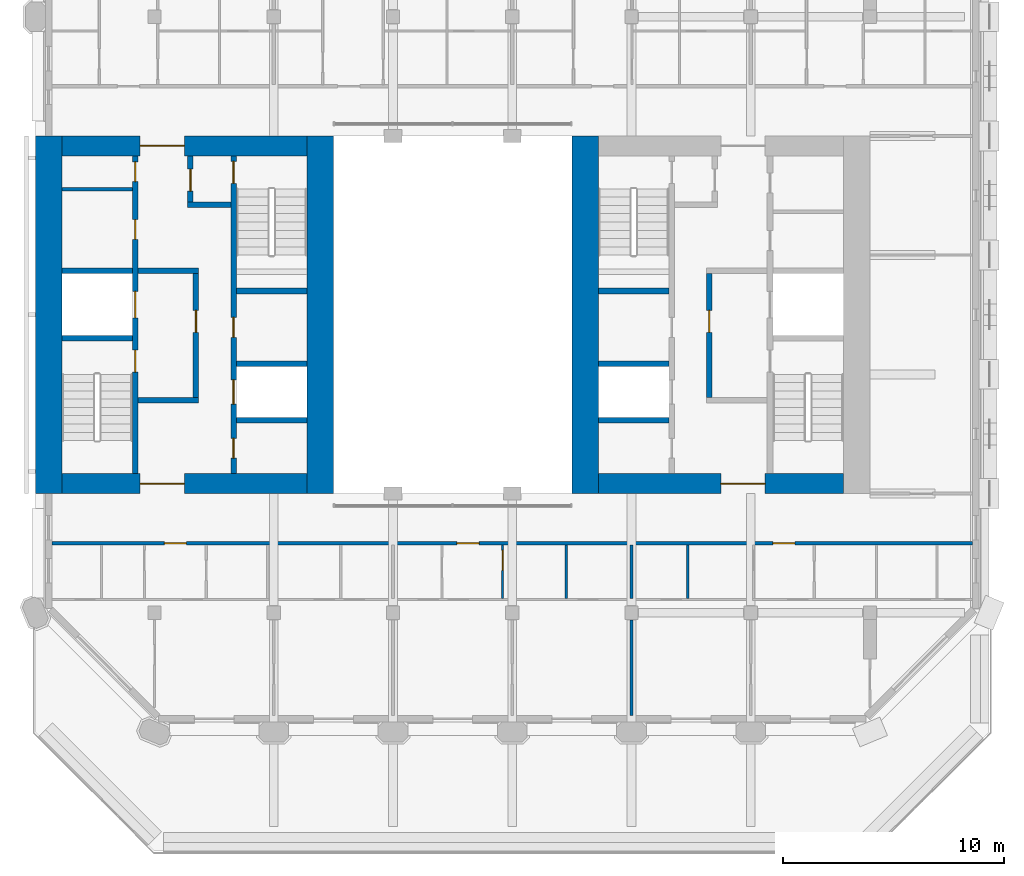
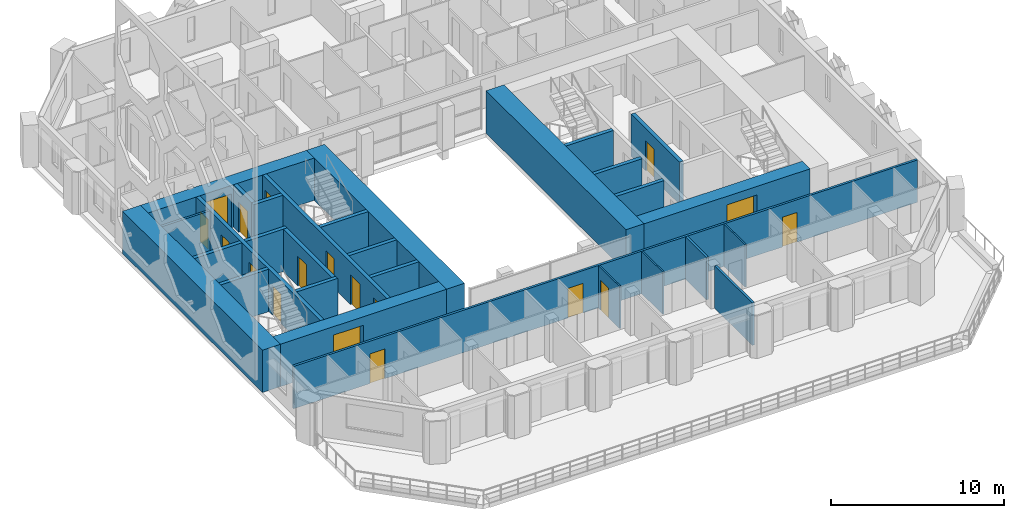
# One storey, part 9 of 17: 29 walls, 18 doors, 18 openings.
"""IFC4 building model written with IfcOpenShell, lengths in metres."""

from ifc_helpers import new_model, si_unit, direction, frame, frame_2d, origin, place, context, subcontext, project, spatial, rectangle, extrude, material, layer, layer_set, type_object, element, fill, save


model = new_model("IFC4")

# Units and contexts
model_context = context("Model", 3, precision=1e-05, world=origin(), true_north=direction((0.0, 1.0)))
body_context = subcontext(model_context, "Body", "Model", "MODEL_VIEW")
ifc_project = project(units=[si_unit("LENGTHUNIT", "METRE"), si_unit("AREAUNIT", "SQUARE_METRE"), si_unit("VOLUMEUNIT", "CUBIC_METRE"), si_unit("PLANEANGLEUNIT", "RADIAN"), si_unit("MASSUNIT", "GRAM", prefix="KILO")], contexts=[model_context])

# Site, building, storey
site_placement = place(None, origin())
site = spatial("IfcSite", under=ifc_project, at=site_placement, CompositionType="ELEMENT")
building_placement = place(site_placement, origin())
building = spatial("IfcBuilding", under=site, at=building_placement, Name="Tabaq Tower and Sports Hall", CompositionType="ELEMENT")
storey_placement = place(building_placement, frame((0.0, 0.0, 288.39990234375)))
storey = spatial("IfcBuildingStorey", under=building, at=storey_placement, Name="L71", CompositionType="ELEMENT", Elevation=288.39990234375)

# Walls
ifc_material_1 = material(Name="Blockwork", Category="masonry")
ifc_layer_1 = layer(ifc_material_1, 0.14990234375)
ifc_layer_set_1 = layer_set([ifc_layer_1], Name="Core room partition 150 Blockwork")
wall_type_1 = type_object("IfcWallType", Name="Core room partition 150 Blockwork", PredefinedType="PARTITIONING", material=ifc_layer_set_1)
wall_1_placement = place(storey_placement, frame((6.60009765625, 29.97705078125, 0.0), z_axis=(0.0, 0.0, 1.0), x_axis=(1.0, 0.0, 0.0)))
element("IfcWall", 1, at=wall_1_placement, inside=storey, type_object=wall_type_1, Name="Core room partition W L71", PredefinedType="PARTITIONING", context=body_context, shape_type="SweptSolid", body=[
    extrude(rectangle(XDim=3.199951171875, YDim=0.14990234375, at=frame_2d((1.60009765625, 0.0))), origin(), (0.0, 0.0, 1.0), 3.0),
])
ifc_material_2 = material(Name="Concrete C40/50", Category="concrete")
ifc_layer_2 = layer(ifc_material_2, 1.199951171875)
ifc_layer_set_2 = layer_set([ifc_layer_2], Name="Core wall 1200 Concrete C40/50")
wall_type_2 = type_object("IfcWallType", Name="Core wall 1200 Concrete C40/50", PredefinedType="SOLIDWALL", material=ifc_layer_set_2)
for number, where, z_axis, x_axis, name in (
    (2, (6.0, 16.199951171875, 0.0), (0.0, 0.0, 1.0), (0.0, 1.0, 0.0), "Core wall W L71"),
    (3, (18.300048828125, 32.39990234375, 0.0), (0.0, 0.0, 1.0), (0.0, -1.0, 0.0), "Core wall W L71"),
    (4, (30.300048828125, 16.199951171875, 0.0), (0.0, 0.0, 1.0), (0.0, 1.0, 0.0), "Core wall E L71"),
):
    element("IfcWall", number, at=place(storey_placement, frame(where, z_axis=z_axis, x_axis=x_axis)), inside=storey, type_object=wall_type_2, Name=name, PredefinedType="SOLIDWALL", context=body_context, shape_type="SweptSolid", body=[
        extrude(rectangle(XDim=16.199951171875, YDim=1.199951171875, at=frame_2d((8.10009765625, 0.0))), origin(), (0.0, 0.0, 1.0), 3.0),
    ])

# Wall, opening, door
ifc_material_3 = material(Name="Concrete C40/50", Category="concrete")
ifc_layer_3 = layer(ifc_material_3, 0.89990234375)
ifc_layer_set_3 = layer_set([ifc_layer_3], Name="Core wall 900 Concrete C40/50")
wall_type_3 = type_object("IfcWallType", Name="Core wall 900 Concrete C40/50", PredefinedType="SOLIDWALL", material=ifc_layer_set_3)
wall_2_placement = place(storey_placement, frame((17.699951171875, 16.64990234375, 0.0), z_axis=(0.0, 0.0, 1.0), x_axis=(-1.0, 0.0, 0.0)))
wall_2 = element("IfcWall", 5, at=wall_2_placement, inside=storey, type_object=wall_type_3, Name="Core wall W L71", PredefinedType="SOLIDWALL", context=body_context, shape_type="SweptSolid", body=[
    extrude(rectangle(XDim=11.099853515625, YDim=0.89990234375, at=frame_2d((5.5498046875, 0.0))), origin(), (0.0, 0.0, 1.0), 3.0),
])
opening_1_placement = place(wall_2_placement, frame((5.550048828125, 0.0, 0.0)))
opening_1 = element("IfcOpeningElement", 6, at=opening_1_placement, cuts=wall_2, Name="Opening PD-WL71-01", PredefinedType="OPENING", context=body_context, shape_type="SweptSolid", body=[
    extrude(rectangle(XDim=2.0, YDim=2.39990234375, at=frame_2d((1.0, 1.199951171875))), frame((0.0, 0.449951171875, 0.0), z_axis=(0.0, -1.0, 0.0), x_axis=(1.0, 0.0, 0.0)), (0.0, 0.0, 1.0), 0.89990234375),
])
ifc_material_4 = material(Name="Steel fire door", Category="steel")
door_type_1 = type_object("IfcDoorType", Name="Core entrance door 2000", OperationType="DOUBLE_DOOR_SINGLE_SWING", PredefinedType="DOOR", material=ifc_material_4)
door_1_placement = place(opening_1_placement, origin())
door_1 = element("IfcDoor", 7, at=door_1_placement, inside=storey, type_object=door_type_1, Name="Core entrance south W L71", OperationType="DOUBLE_DOOR_SINGLE_SWING", OverallHeight=2.39990234375, OverallWidth=2.0, PredefinedType="DOOR", context=body_context, shape_type="SweptSolid", body=[
    extrude(rectangle(XDim=2.0, YDim=2.39990234375, at=frame_2d((1.0, 1.199951171875))), frame((0.0, 0.02490234375, 0.0), z_axis=(0.0, -1.0, 0.0), x_axis=(1.0, 0.0, 0.0)), (0.0, 0.0, 1.0), 0.050048828125),
])
fill(opening_1, door_1)

wall_3_placement = place(storey_placement, frame((6.60009765625, 31.949951171875, 0.0), z_axis=(0.0, 0.0, 1.0), x_axis=(1.0, 0.0, 0.0)))
wall_3 = element("IfcWall", 8, at=wall_3_placement, inside=storey, type_object=wall_type_3, Name="Core wall W L71", PredefinedType="SOLIDWALL", context=body_context, shape_type="SweptSolid", body=[
    extrude(rectangle(XDim=11.099853515625, YDim=0.89990234375, at=frame_2d((5.5498046875, 0.0))), origin(), (0.0, 0.0, 1.0), 3.0),
])
opening_2_placement = place(wall_3_placement, frame((3.550048828125, 0.0, 0.0)))
opening_2 = element("IfcOpeningElement", 9, at=opening_2_placement, cuts=wall_3, Name="Opening PD-WL71-02", PredefinedType="OPENING", context=body_context, shape_type="SweptSolid", body=[
    extrude(rectangle(XDim=2.0, YDim=2.39990234375, at=frame_2d((1.0, 1.199951171875))), frame((0.0, 0.449951171875, 0.0), z_axis=(0.0, -1.0, 0.0), x_axis=(1.0, 0.0, 0.0)), (0.0, 0.0, 1.0), 0.89990234375),
])
door_2_placement = place(opening_2_placement, origin())
door_2 = element("IfcDoor", 10, at=door_2_placement, inside=storey, type_object=door_type_1, Name="Core entrance north W L71", OperationType="DOUBLE_DOOR_SINGLE_SWING", OverallHeight=2.39990234375, OverallWidth=2.0, PredefinedType="DOOR", context=body_context, shape_type="SweptSolid", body=[
    extrude(rectangle(XDim=2.0, YDim=2.39990234375, at=frame_2d((1.0, 1.199951171875))), frame((0.0, 0.02490234375, 0.0), z_axis=(0.0, -1.0, 0.0), x_axis=(1.0, 0.0, 0.0)), (0.0, 0.0, 1.0), 0.050048828125),
])
fill(opening_2, door_2)

wall_4_placement = place(storey_placement, frame((42.0, 16.64990234375, 0.0), z_axis=(0.0, 0.0, 1.0), x_axis=(-1.0, 0.0, 0.0)))
wall_4 = element("IfcWall", 11, at=wall_4_placement, inside=storey, type_object=wall_type_3, Name="Core wall E L71", PredefinedType="SOLIDWALL", context=body_context, shape_type="SweptSolid", body=[
    extrude(rectangle(XDim=11.10009765625, YDim=0.89990234375, at=frame_2d((5.550048828125, 0.0))), origin(), (0.0, 0.0, 1.0), 3.0),
])
opening_3_placement = place(wall_4_placement, frame((3.550048828125, 0.0, 0.0)))
opening_3 = element("IfcOpeningElement", 12, at=opening_3_placement, cuts=wall_4, Name="Opening PD-EL71-01", PredefinedType="OPENING", context=body_context, shape_type="SweptSolid", body=[
    extrude(rectangle(XDim=2.0, YDim=2.39990234375, at=frame_2d((1.0, 1.199951171875))), frame((0.0, 0.449951171875, 0.0), z_axis=(0.0, -1.0, 0.0), x_axis=(1.0, 0.0, 0.0)), (0.0, 0.0, 1.0), 0.89990234375),
])
door_3_placement = place(opening_3_placement, origin())
door_3 = element("IfcDoor", 13, at=door_3_placement, inside=storey, type_object=door_type_1, Name="Core entrance south E L71", OperationType="DOUBLE_DOOR_SINGLE_SWING", OverallHeight=2.39990234375, OverallWidth=2.0, PredefinedType="DOOR", context=body_context, shape_type="SweptSolid", body=[
    extrude(rectangle(XDim=2.0, YDim=2.39990234375, at=frame_2d((1.0, 1.199951171875))), frame((0.0, 0.02490234375, 0.0), z_axis=(0.0, -1.0, 0.0), x_axis=(1.0, 0.0, 0.0)), (0.0, 0.0, 1.0), 0.050048828125),
])
fill(opening_3, door_3)

ifc_material_5 = material(Name="Gypsum board on steel studs", Category="steel")
ifc_layer_4 = layer(ifc_material_5, 0.10009765625)
ifc_layer_set_4 = layer_set([ifc_layer_4], Name="Partition 100 Gypsum board")
wall_type_4 = type_object("IfcWallType", Name="Partition 100 Gypsum board", PredefinedType="PARTITIONING", material=ifc_layer_set_4)
wall_5_placement = place(storey_placement, frame((26.56201171875, 11.449951171875, 0.0), z_axis=(0.0, 0.0, 1.0), x_axis=(0.0, 1.0, 0.0)))
wall_5 = element("IfcWall", 14, at=wall_5_placement, inside=storey, type_object=wall_type_4, Name="Partition wall L71", PredefinedType="PARTITIONING", context=body_context, shape_type="SweptSolid", body=[
    extrude(rectangle(XDim=2.425048828125, YDim=0.10009765625, at=frame_2d((1.21240234375, 0.0))), origin(), (0.0, 0.0, 1.0), 3.0),
])
opening_4_placement = place(wall_5_placement, frame((1.27490234375, 0.0, 0.0)))
opening_4 = element("IfcOpeningElement", 15, at=opening_4_placement, cuts=wall_5, Name="Opening L71-024", PredefinedType="OPENING", context=body_context, shape_type="SweptSolid", body=[
    extrude(rectangle(XDim=0.89990234375, YDim=2.10009765625, at=frame_2d((0.449951171875, 1.050048828125))), frame((0.0, 0.050048828125, 0.0), z_axis=(0.0, -1.0, 0.0), x_axis=(1.0, 0.0, 0.0)), (0.0, 0.0, 1.0), 0.10009765625),
])
ifc_material_6 = material(Name="Timber leaf in steel frame", Category="steel")
door_type_2 = type_object("IfcDoorType", Name="Internal door 900 left hand", OperationType="SINGLE_SWING_LEFT", PredefinedType="DOOR", material=ifc_material_6)
door_4_placement = place(opening_4_placement, origin())
door_4 = element("IfcDoor", 16, at=door_4_placement, inside=storey, type_object=door_type_2, Name="Internal door L71-024", OperationType="SINGLE_SWING_LEFT", OverallHeight=2.10009765625, OverallWidth=0.89990234375, PredefinedType="DOOR", context=body_context, shape_type="SweptSolid", body=[
    extrude(rectangle(XDim=0.89990234375, YDim=2.10009765625, at=frame_2d((0.449951171875, 1.050048828125))), frame((0.0, 0.02490234375, 0.0), z_axis=(0.0, -1.0, 0.0), x_axis=(1.0, 0.0, 0.0)), (0.0, 0.0, 1.0), 0.050048828125),
])
fill(opening_4, door_4)

# Walls
for number, where, z_axis, x_axis, name in (
    (17, (29.449951171875, 11.449951171875, 0.0), (0.0, 0.0, 1.0), (0.0, 1.0, 0.0), "Partition wall L71"),
    (18, (34.949951171875, 11.449951171875, 0.0), (0.0, 0.0, 1.0), (0.0, 1.0, 0.0), "Partition wall L71"),
):
    element("IfcWall", number, at=place(storey_placement, frame(where, z_axis=z_axis, x_axis=x_axis)), inside=storey, type_object=wall_type_4, Name=name, PredefinedType="PARTITIONING", context=body_context, shape_type="SweptSolid", body=[
        extrude(rectangle(XDim=2.425048828125, YDim=0.10009765625, at=frame_2d((1.21240234375, 0.0))), origin(), (0.0, 0.0, 1.0), 3.0),
    ])
ifc_material_7 = material(Name="Blockwork", Category="masonry")
ifc_layer_5 = layer(ifc_material_7, 0.14990234375)
ifc_layer_set_5 = layer_set([ifc_layer_5], Name="Separating wall 150 Blockwork")
wall_type_5 = type_object("IfcWallType", Name="Separating wall 150 Blockwork", PredefinedType="PARTITIONING", material=ifc_layer_set_5)
wall_6_placement = place(storey_placement, frame((32.39990234375, 6.15087890625, 0.0), z_axis=(0.0, 0.0, 1.0), x_axis=(0.0, 1.0, 0.0)))
element("IfcWall", 19, at=wall_6_placement, inside=storey, type_object=wall_type_5, Name="Separating wall L71", PredefinedType="PARTITIONING", context=body_context, shape_type="SweptSolid", body=[
    extrude(rectangle(XDim=4.3291015625, YDim=0.14990234375, at=frame_2d((2.16455078125, 0.0))), origin(), (0.0, 0.0, 1.0), 3.0),
])
wall_7_placement = place(storey_placement, frame((32.39990234375, 11.449951171875, 0.0), z_axis=(0.0, 0.0, 1.0), x_axis=(0.0, 1.0, 0.0)))
element("IfcWall", 20, at=wall_7_placement, inside=storey, type_object=wall_type_5, Name="Separating wall L71", PredefinedType="PARTITIONING", context=body_context, shape_type="SweptSolid", body=[
    extrude(rectangle(XDim=2.425048828125, YDim=0.14990234375, at=frame_2d((1.21240234375, 0.0))), origin(), (0.0, 0.0, 1.0), 3.0),
])

# Wall, openings, doors
wall_8_placement = place(storey_placement, frame((47.84912109375, 13.949951171875, 0.0), z_axis=(0.0, 0.0, 1.0), x_axis=(-1.0, 0.0, 0.0)))
wall_8 = element("IfcWall", 21, at=wall_8_placement, inside=storey, type_object=wall_type_5, Name="Separating wall L71", PredefinedType="PARTITIONING", context=body_context, shape_type="SweptSolid", body=[
    extrude(rectangle(XDim=41.6982421875, YDim=0.14990234375, at=frame_2d((20.84912109375, 0.0))), origin(), (0.0, 0.0, 1.0), 3.0),
])
opening_5_placement = place(wall_8_placement, frame((35.60888671875, 0.0, 0.0)))
opening_5 = element("IfcOpeningElement", 22, at=opening_5_placement, cuts=wall_8, Name="Opening L71-059", PredefinedType="OPENING", context=body_context, shape_type="SweptSolid", body=[
    extrude(rectangle(XDim=1.0, YDim=2.10009765625, at=frame_2d((0.5, 1.050048828125))), frame((0.0, 0.074951171875, 0.0), z_axis=(0.0, -1.0, 0.0), x_axis=(1.0, 0.0, 0.0)), (0.0, 0.0, 1.0), 0.14990234375),
])
opening_6_placement = place(wall_8_placement, frame((22.35400390625, 0.0, 0.0)))
opening_6 = element("IfcOpeningElement", 23, at=opening_6_placement, cuts=wall_8, Name="Opening L71-061", PredefinedType="OPENING", context=body_context, shape_type="SweptSolid", body=[
    extrude(rectangle(XDim=1.0, YDim=2.10009765625, at=frame_2d((0.5, 1.050048828125))), frame((0.0, 0.074951171875, 0.0), z_axis=(0.0, -1.0, 0.0), x_axis=(1.0, 0.0, 0.0)), (0.0, 0.0, 1.0), 0.14990234375),
])
opening_7_placement = place(wall_8_placement, frame((8.049072265625, 0.0, 0.0)))
opening_7 = element("IfcOpeningElement", 24, at=opening_7_placement, cuts=wall_8, Name="Opening L71-063", PredefinedType="OPENING", context=body_context, shape_type="SweptSolid", body=[
    extrude(rectangle(XDim=1.0, YDim=2.10009765625, at=frame_2d((0.5, 1.050048828125))), frame((0.0, 0.074951171875, 0.0), z_axis=(0.0, -1.0, 0.0), x_axis=(1.0, 0.0, 0.0)), (0.0, 0.0, 1.0), 0.14990234375),
])
ifc_material_8 = material(Name="Steel fire door", Category="steel")
door_type_3 = type_object("IfcDoorType", Name="Entrance door 1000 left hand", OperationType="SINGLE_SWING_LEFT", PredefinedType="DOOR", material=ifc_material_8)
door_5_placement = place(opening_6_placement, origin())
door_5 = element("IfcDoor", 25, at=door_5_placement, inside=storey, type_object=door_type_3, Name="Entrance door L71-061", OperationType="SINGLE_SWING_LEFT", OverallHeight=2.10009765625, OverallWidth=1.0, PredefinedType="DOOR", context=body_context, shape_type="SweptSolid", body=[
    extrude(rectangle(XDim=1.0, YDim=2.10009765625, at=frame_2d((0.5, 1.050048828125))), frame((0.0, 0.02490234375, 0.0), z_axis=(0.0, -1.0, 0.0), x_axis=(1.0, 0.0, 0.0)), (0.0, 0.0, 1.0), 0.050048828125),
])
fill(opening_6, door_5)
door_6_placement = place(opening_7_placement, origin())
door_6 = element("IfcDoor", 26, at=door_6_placement, inside=storey, type_object=door_type_3, Name="Entrance door L71-063", OperationType="SINGLE_SWING_LEFT", OverallHeight=2.10009765625, OverallWidth=1.0, PredefinedType="DOOR", context=body_context, shape_type="SweptSolid", body=[
    extrude(rectangle(XDim=1.0, YDim=2.10009765625, at=frame_2d((0.5, 1.050048828125))), frame((0.0, 0.02490234375, 0.0), z_axis=(0.0, -1.0, 0.0), x_axis=(1.0, 0.0, 0.0)), (0.0, 0.0, 1.0), 0.050048828125),
])
fill(opening_7, door_6)
ifc_material_9 = material(Name="Steel fire door", Category="steel")
door_type_4 = type_object("IfcDoorType", Name="Entrance door 1000 right hand", OperationType="SINGLE_SWING_RIGHT", PredefinedType="DOOR", material=ifc_material_9)
door_7_placement = place(opening_5_placement, origin())
door_7 = element("IfcDoor", 27, at=door_7_placement, inside=storey, type_object=door_type_4, Name="Entrance door L71-059", OperationType="SINGLE_SWING_RIGHT", OverallHeight=2.10009765625, OverallWidth=1.0, PredefinedType="DOOR", context=body_context, shape_type="SweptSolid", body=[
    extrude(rectangle(XDim=1.0, YDim=2.10009765625, at=frame_2d((0.5, 1.050048828125))), frame((0.0, 0.02490234375, 0.0), z_axis=(0.0, -1.0, 0.0), x_axis=(1.0, 0.0, 0.0)), (0.0, 0.0, 1.0), 0.050048828125),
])
fill(opening_5, door_7)

ifc_material_10 = material(Name="Concrete C40/50", Category="concrete")
ifc_layer_6 = layer(ifc_material_10, 0.25)
ifc_layer_set_6 = layer_set([ifc_layer_6], Name="Shaft and stair wall 250 Concrete C40/50")
wall_type_6 = type_object("IfcWallType", Name="Shaft and stair wall 250 Concrete C40/50", PredefinedType="SOLIDWALL", material=ifc_layer_set_6)
wall_9_placement = place(storey_placement, frame((9.925048828125, 17.10009765625, 0.0), z_axis=(0.0, 0.0, 1.0), x_axis=(0.0, 1.0, 0.0)))
wall_9 = element("IfcWall", 28, at=wall_9_placement, inside=storey, type_object=wall_type_6, Name="Shaft wall W L71", PredefinedType="SOLIDWALL", context=body_context, shape_type="SweptSolid", body=[
    extrude(rectangle(XDim=14.39990234375, YDim=0.25, at=frame_2d((7.199951171875, 0.0))), origin(), (0.0, 0.0, 1.0), 3.0),
])
opening_8_placement = place(wall_9_placement, frame((4.60009765625, 0.0, 0.0)))
opening_8 = element("IfcOpeningElement", 29, at=opening_8_placement, cuts=wall_9, Name="Opening SD-WL71-03", PredefinedType="OPENING", context=body_context, shape_type="SweptSolid", body=[
    extrude(rectangle(XDim=1.0, YDim=2.10009765625, at=frame_2d((0.5, 1.050048828125))), frame((0.0, 0.125, 0.0), z_axis=(0.0, -1.0, 0.0), x_axis=(1.0, 0.0, 0.0)), (0.0, 0.0, 1.0), 0.25),
])
opening_9_placement = place(wall_9_placement, frame((7.0625, 0.0, 0.0)))
opening_9 = element("IfcOpeningElement", 30, at=opening_9_placement, cuts=wall_9, Name="Opening LD-FF1-L71", PredefinedType="OPENING", context=body_context, shape_type="SweptSolid", body=[
    extrude(rectangle(XDim=1.199951171875, YDim=2.10009765625, at=frame_2d((0.60009765625, 1.050048828125))), frame((0.0, 0.125, 0.0), z_axis=(0.0, -1.0, 0.0), x_axis=(1.0, 0.0, 0.0)), (0.0, 0.0, 1.0), 0.25),
])
opening_10_placement = place(wall_9_placement, frame((10.613525390625, 0.0, 0.0)))
opening_10 = element("IfcOpeningElement", 31, at=opening_10_placement, cuts=wall_9, Name="Opening RD-WL71-09", PredefinedType="OPENING", context=body_context, shape_type="SweptSolid", body=[
    extrude(rectangle(XDim=0.89990234375, YDim=2.10009765625, at=frame_2d((0.449951171875, 1.050048828125))), frame((0.0, 0.125, 0.0), z_axis=(0.0, -1.0, 0.0), x_axis=(1.0, 0.0, 0.0)), (0.0, 0.0, 1.0), 0.25),
])
opening_11_placement = place(wall_9_placement, frame((13.22607421875, 0.0, 0.0)))
opening_11 = element("IfcOpeningElement", 32, at=opening_11_placement, cuts=wall_9, Name="Opening RD-WL71-10", PredefinedType="OPENING", context=body_context, shape_type="SweptSolid", body=[
    extrude(rectangle(XDim=0.89990234375, YDim=2.10009765625, at=frame_2d((0.449951171875, 1.050048828125))), frame((0.0, 0.125, 0.0), z_axis=(0.0, -1.0, 0.0), x_axis=(1.0, 0.0, 0.0)), (0.0, 0.0, 1.0), 0.25),
])
ifc_material_11 = material(Name="Steel fire door", Category="steel")
door_type_5 = type_object("IfcDoorType", Name="Core room door 900", OperationType="SINGLE_SWING_LEFT", PredefinedType="DOOR", material=ifc_material_11)
door_8_placement = place(opening_10_placement, origin())
door_8 = element("IfcDoor", 33, at=door_8_placement, inside=storey, type_object=door_type_5, Name="Door Comms Room W L71", OperationType="SINGLE_SWING_LEFT", OverallHeight=2.10009765625, OverallWidth=0.89990234375, PredefinedType="DOOR", context=body_context, shape_type="SweptSolid", body=[
    extrude(rectangle(XDim=0.89990234375, YDim=2.10009765625, at=frame_2d((0.449951171875, 1.050048828125))), frame((0.0, 0.02490234375, 0.0), z_axis=(0.0, -1.0, 0.0), x_axis=(1.0, 0.0, 0.0)), (0.0, 0.0, 1.0), 0.050048828125),
])
fill(opening_10, door_8)
door_9_placement = place(opening_11_placement, origin())
door_9 = element("IfcDoor", 34, at=door_9_placement, inside=storey, type_object=door_type_5, Name="Door Electrical Room W L71", OperationType="SINGLE_SWING_LEFT", OverallHeight=2.10009765625, OverallWidth=0.89990234375, PredefinedType="DOOR", context=body_context, shape_type="SweptSolid", body=[
    extrude(rectangle(XDim=0.89990234375, YDim=2.10009765625, at=frame_2d((0.449951171875, 1.050048828125))), frame((0.0, 0.02490234375, 0.0), z_axis=(0.0, -1.0, 0.0), x_axis=(1.0, 0.0, 0.0)), (0.0, 0.0, 1.0), 0.050048828125),
])
fill(opening_11, door_9)
ifc_material_12 = material(Name="Stainless steel", Category="steel")
door_type_6 = type_object("IfcDoorType", Name="Lift landing door 1200", OperationType="DOUBLE_DOOR_SLIDING", PredefinedType="DOOR", material=ifc_material_12)
door_10_placement = place(opening_9_placement, origin())
door_10 = element("IfcDoor", 35, at=door_10_placement, inside=storey, type_object=door_type_6, Name="Lift landing door FF1 W L71", OperationType="DOUBLE_DOOR_SLIDING", OverallHeight=2.10009765625, OverallWidth=1.199951171875, PredefinedType="DOOR", context=body_context, shape_type="SweptSolid", body=[
    extrude(rectangle(XDim=1.199951171875, YDim=2.10009765625, at=frame_2d((0.60009765625, 1.050048828125))), frame((0.0, 0.02490234375, 0.0), z_axis=(0.0, -1.0, 0.0), x_axis=(1.0, 0.0, 0.0)), (0.0, 0.0, 1.0), 0.050048828125),
])
fill(opening_9, door_10)
ifc_material_13 = material(Name="Steel fire door", Category="steel")
door_type_7 = type_object("IfcDoorType", Name="Stair door 1000", OperationType="SINGLE_SWING_LEFT", PredefinedType="DOOR", material=ifc_material_13)
door_11_placement = place(opening_8_placement, origin())
door_11 = element("IfcDoor", 36, at=door_11_placement, inside=storey, type_object=door_type_7, Name="Stair door ST1 W L71", OperationType="SINGLE_SWING_LEFT", OverallHeight=2.10009765625, OverallWidth=1.0, PredefinedType="DOOR", context=body_context, shape_type="SweptSolid", body=[
    extrude(rectangle(XDim=1.0, YDim=2.10009765625, at=frame_2d((0.5, 1.050048828125))), frame((0.0, 0.02490234375, 0.0), z_axis=(0.0, -1.0, 0.0), x_axis=(1.0, 0.0, 0.0)), (0.0, 0.0, 1.0), 0.050048828125),
])
fill(opening_8, door_11)

wall_10_placement = place(storey_placement, frame((14.375, 17.10009765625, 0.0), z_axis=(0.0, 0.0, 1.0), x_axis=(0.0, 1.0, 0.0)))
wall_10 = element("IfcWall", 37, at=wall_10_placement, inside=storey, type_object=wall_type_6, Name="Shaft wall W L71", PredefinedType="SOLIDWALL", context=body_context, shape_type="SweptSolid", body=[
    extrude(rectangle(XDim=14.39990234375, YDim=0.25, at=frame_2d((7.199951171875, 0.0))), origin(), (0.0, 0.0, 1.0), 3.0),
])
opening_12_placement = place(wall_10_placement, frame((13.14990234375, 0.0, 0.0)))
opening_12 = element("IfcOpeningElement", 38, at=opening_12_placement, cuts=wall_10, Name="Opening SD-WL71-05", PredefinedType="OPENING", context=body_context, shape_type="SweptSolid", body=[
    extrude(rectangle(XDim=1.0, YDim=2.10009765625, at=frame_2d((0.5, 1.050048828125))), frame((0.0, 0.125, 0.0), z_axis=(0.0, -1.0, 0.0), x_axis=(1.0, 0.0, 0.0)), (0.0, 0.0, 1.0), 0.25),
])
opening_13_placement = place(wall_10_placement, frame((3.14990234375, 0.0, 0.0)))
opening_13 = element("IfcOpeningElement", 39, at=opening_13_placement, cuts=wall_10, Name="Opening LD-HR1-L71", PredefinedType="OPENING", context=body_context, shape_type="SweptSolid", body=[
    extrude(rectangle(XDim=1.10009765625, YDim=2.10009765625, at=frame_2d((0.550048828125, 1.050048828125))), frame((0.0, 0.125, 0.0), z_axis=(0.0, -1.0, 0.0), x_axis=(1.0, 0.0, 0.0)), (0.0, 0.0, 1.0), 0.25),
])
opening_14_placement = place(wall_10_placement, frame((0.699951171875, 0.0, 0.0)))
opening_14 = element("IfcOpeningElement", 40, at=opening_14_placement, cuts=wall_10, Name="Opening RD-WL71-11", PredefinedType="OPENING", context=body_context, shape_type="SweptSolid", body=[
    extrude(rectangle(XDim=0.89990234375, YDim=2.10009765625, at=frame_2d((0.449951171875, 1.050048828125))), frame((0.0, 0.125, 0.0), z_axis=(0.0, -1.0, 0.0), x_axis=(1.0, 0.0, 0.0)), (0.0, 0.0, 1.0), 0.25),
])
opening_15_placement = place(wall_10_placement, frame((6.175048828125, 0.0, 0.0)))
opening_15 = element("IfcOpeningElement", 41, at=opening_15_placement, cuts=wall_10, Name="Opening RD-WL71-12", PredefinedType="OPENING", context=body_context, shape_type="SweptSolid", body=[
    extrude(rectangle(XDim=0.89990234375, YDim=2.10009765625, at=frame_2d((0.449951171875, 1.050048828125))), frame((0.0, 0.125, 0.0), z_axis=(0.0, -1.0, 0.0), x_axis=(1.0, 0.0, 0.0)), (0.0, 0.0, 1.0), 0.25),
])
door_12_placement = place(opening_14_placement, origin())
door_12 = element("IfcDoor", 42, at=door_12_placement, inside=storey, type_object=door_type_5, Name="Door Electrical Riser Room W L71", OperationType="SINGLE_SWING_LEFT", OverallHeight=2.10009765625, OverallWidth=0.89990234375, PredefinedType="DOOR", context=body_context, shape_type="SweptSolid", body=[
    extrude(rectangle(XDim=0.89990234375, YDim=2.10009765625, at=frame_2d((0.449951171875, 1.050048828125))), frame((0.0, 0.02490234375, 0.0), z_axis=(0.0, -1.0, 0.0), x_axis=(1.0, 0.0, 0.0)), (0.0, 0.0, 1.0), 0.050048828125),
])
fill(opening_14, door_12)
door_13_placement = place(opening_15_placement, origin())
door_13 = element("IfcDoor", 43, at=door_13_placement, inside=storey, type_object=door_type_5, Name="Door Riser Room W L71", OperationType="SINGLE_SWING_LEFT", OverallHeight=2.10009765625, OverallWidth=0.89990234375, PredefinedType="DOOR", context=body_context, shape_type="SweptSolid", body=[
    extrude(rectangle(XDim=0.89990234375, YDim=2.10009765625, at=frame_2d((0.449951171875, 1.050048828125))), frame((0.0, 0.02490234375, 0.0), z_axis=(0.0, -1.0, 0.0), x_axis=(1.0, 0.0, 0.0)), (0.0, 0.0, 1.0), 0.050048828125),
])
fill(opening_15, door_13)
ifc_material_14 = material(Name="Stainless steel", Category="steel")
door_type_8 = type_object("IfcDoorType", Name="Lift landing door 1100", OperationType="DOUBLE_DOOR_SLIDING", PredefinedType="DOOR", material=ifc_material_14)
door_14_placement = place(opening_13_placement, origin())
door_14 = element("IfcDoor", 44, at=door_14_placement, inside=storey, type_object=door_type_8, Name="Lift landing door HR1 W L71", OperationType="DOUBLE_DOOR_SLIDING", OverallHeight=2.10009765625, OverallWidth=1.10009765625, PredefinedType="DOOR", context=body_context, shape_type="SweptSolid", body=[
    extrude(rectangle(XDim=1.10009765625, YDim=2.10009765625, at=frame_2d((0.550048828125, 1.050048828125))), frame((0.0, 0.02490234375, 0.0), z_axis=(0.0, -1.0, 0.0), x_axis=(1.0, 0.0, 0.0)), (0.0, 0.0, 1.0), 0.050048828125),
])
fill(opening_13, door_14)
door_15_placement = place(opening_12_placement, origin())
door_15 = element("IfcDoor", 45, at=door_15_placement, inside=storey, type_object=door_type_7, Name="Stair door ST2 W L71", OperationType="SINGLE_SWING_LEFT", OverallHeight=2.10009765625, OverallWidth=1.0, PredefinedType="DOOR", context=body_context, shape_type="SweptSolid", body=[
    extrude(rectangle(XDim=1.0, YDim=2.10009765625, at=frame_2d((0.5, 1.050048828125))), frame((0.0, 0.02490234375, 0.0), z_axis=(0.0, -1.0, 0.0), x_axis=(1.0, 0.0, 0.0)), (0.0, 0.0, 1.0), 0.050048828125),
])
fill(opening_12, door_15)

# Walls
for number, where, z_axis, x_axis, name in (
    (46, (6.60009765625, 23.22509765625, 0.0), (0.0, 0.0, 1.0), (1.0, 0.0, 0.0), "Stair enclosure wall W L71"),
    (47, (14.5, 25.375, 0.0), (0.0, 0.0, 1.0), (1.0, 0.0, 0.0), "Stair enclosure wall W L71"),
    (48, (14.5, 22.074951171875, 0.0), (0.0, 0.0, 1.0), (1.0, 0.0, 0.0), "Shaft wall W L71"),
    (49, (6.60009765625, 26.300048828125, 0.0), (0.0, 0.0, 1.0), (1.0, 0.0, 0.0), "Shaft wall W L71"),
):
    element("IfcWall", number, at=place(storey_placement, frame(where, z_axis=z_axis, x_axis=x_axis)), inside=storey, type_object=wall_type_6, Name=name, PredefinedType="SOLIDWALL", context=body_context, shape_type="SweptSolid", body=[
        extrude(rectangle(XDim=3.199951171875, YDim=0.25, at=frame_2d((1.60009765625, 0.0))), origin(), (0.0, 0.0, 1.0), 3.0),
    ])
for number, where, z_axis, x_axis, name in (
    (50, (10.050048828125, 26.300048828125, 0.0), (0.0, 0.0, 1.0), (1.0, 0.0, 0.0), "Fire-fighting lobby wall W L71"),
    (51, (10.050048828125, 20.425048828125, 0.0), (0.0, 0.0, 1.0), (1.0, 0.0, 0.0), "Fire-fighting lobby wall W L71"),
):
    element("IfcWall", number, at=place(storey_placement, frame(where, z_axis=z_axis, x_axis=x_axis)), inside=storey, type_object=wall_type_6, Name=name, PredefinedType="SOLIDWALL", context=body_context, shape_type="SweptSolid", body=[
        extrude(rectangle(XDim=2.75, YDim=0.25, at=frame_2d((1.375, 0.0))), origin(), (0.0, 0.0, 1.0), 3.0),
    ])

# Wall, opening, door
wall_11_placement = place(storey_placement, frame((12.425048828125, 29.39990234375, 0.0), z_axis=(0.0, 0.0, 1.0), x_axis=(0.0, 1.0, 0.0)))
wall_11 = element("IfcWall", 52, at=wall_11_placement, inside=storey, type_object=wall_type_6, Name="Fire-fighting lobby wall W L71", PredefinedType="SOLIDWALL", context=body_context, shape_type="SweptSolid", body=[
    extrude(rectangle(XDim=2.10009765625, YDim=0.25, at=frame_2d((1.050048828125, 0.0))), origin(), (0.0, 0.0, 1.0), 3.0),
])
opening_16_placement = place(wall_11_placement, frame((0.5, 0.0, 0.0)))
opening_16 = element("IfcOpeningElement", 53, at=opening_16_placement, cuts=wall_11, Name="Opening FD-WL71-06", PredefinedType="OPENING", context=body_context, shape_type="SweptSolid", body=[
    extrude(rectangle(XDim=1.0, YDim=2.10009765625, at=frame_2d((0.5, 1.050048828125))), frame((0.0, 0.125, 0.0), z_axis=(0.0, -1.0, 0.0), x_axis=(1.0, 0.0, 0.0)), (0.0, 0.0, 1.0), 0.25),
])
ifc_material_15 = material(Name="Steel fire door", Category="steel")
door_type_9 = type_object("IfcDoorType", Name="Fire-fighting lobby door 1000", OperationType="SINGLE_SWING_LEFT", PredefinedType="DOOR", material=ifc_material_15)
door_16_placement = place(opening_16_placement, origin())
door_16 = element("IfcDoor", 54, at=door_16_placement, inside=storey, type_object=door_type_9, Name="Stair lobby door W L71", OperationType="SINGLE_SWING_LEFT", OverallHeight=2.10009765625, OverallWidth=1.0, PredefinedType="DOOR", context=body_context, shape_type="SweptSolid", body=[
    extrude(rectangle(XDim=1.0, YDim=2.10009765625, at=frame_2d((0.5, 1.050048828125))), frame((0.0, 0.02490234375, 0.0), z_axis=(0.0, -1.0, 0.0), x_axis=(1.0, 0.0, 0.0)), (0.0, 0.0, 1.0), 0.050048828125),
])
fill(opening_16, door_16)

# Wall
wall_12_placement = place(storey_placement, frame((12.300048828125, 29.27490234375, 0.0), z_axis=(0.0, 0.0, 1.0), x_axis=(1.0, 0.0, 0.0)))
element("IfcWall", 55, at=wall_12_placement, inside=storey, type_object=wall_type_6, Name="Fire-fighting lobby wall W L71", PredefinedType="SOLIDWALL", context=body_context, shape_type="SweptSolid", body=[
    extrude(rectangle(XDim=1.949951171875, YDim=0.25, at=frame_2d((0.97509765625, 0.0))), origin(), (0.0, 0.0, 1.0), 3.0),
])

# Wall, opening, door
wall_13_placement = place(storey_placement, frame((12.675048828125, 20.550048828125, 0.0), z_axis=(0.0, 0.0, 1.0), x_axis=(0.0, 1.0, 0.0)))
wall_13 = element("IfcWall", 56, at=wall_13_placement, inside=storey, type_object=wall_type_6, Name="Fire-fighting lobby wall W L71", PredefinedType="SOLIDWALL", context=body_context, shape_type="SweptSolid", body=[
    extrude(rectangle(XDim=5.625, YDim=0.25, at=frame_2d((2.8125, 0.0))), origin(), (0.0, 0.0, 1.0), 3.0),
])
opening_17_placement = place(wall_13_placement, frame((2.949951171875, 0.0, 0.0)))
opening_17 = element("IfcOpeningElement", 57, at=opening_17_placement, cuts=wall_13, Name="Opening FD-WL71-04", PredefinedType="OPENING", context=body_context, shape_type="SweptSolid", body=[
    extrude(rectangle(XDim=1.0, YDim=2.10009765625, at=frame_2d((0.5, 1.050048828125))), frame((0.0, 0.125, 0.0), z_axis=(0.0, -1.0, 0.0), x_axis=(1.0, 0.0, 0.0)), (0.0, 0.0, 1.0), 0.25),
])
door_17_placement = place(opening_17_placement, origin())
door_17 = element("IfcDoor", 58, at=door_17_placement, inside=storey, type_object=door_type_9, Name="Fire-fighting lobby door W L71", OperationType="SINGLE_SWING_LEFT", OverallHeight=2.10009765625, OverallWidth=1.0, PredefinedType="DOOR", context=body_context, shape_type="SweptSolid", body=[
    extrude(rectangle(XDim=1.0, YDim=2.10009765625, at=frame_2d((0.5, 1.050048828125))), frame((0.0, 0.02490234375, 0.0), z_axis=(0.0, -1.0, 0.0), x_axis=(1.0, 0.0, 0.0)), (0.0, 0.0, 1.0), 0.050048828125),
])
fill(opening_17, door_17)

# Walls
wall_14_placement = place(storey_placement, frame((14.5, 19.52490234375, 0.0), z_axis=(0.0, 0.0, 1.0), x_axis=(1.0, 0.0, 0.0)))
element("IfcWall", 59, at=wall_14_placement, inside=storey, type_object=wall_type_6, Name="Shaft wall W L71", PredefinedType="SOLIDWALL", context=body_context, shape_type="SweptSolid", body=[
    extrude(rectangle(XDim=3.199951171875, YDim=0.25, at=frame_2d((1.60009765625, 0.0))), origin(), (0.0, 0.0, 1.0), 3.0),
])
for number, where, z_axis, x_axis, name in (
    (60, (30.89990234375, 25.375, 0.0), (0.0, 0.0, 1.0), (1.0, 0.0, 0.0), "Stair enclosure wall E L71"),
    (61, (30.89990234375, 22.074951171875, 0.0), (0.0, 0.0, 1.0), (1.0, 0.0, 0.0), "Shaft wall E L71"),
):
    element("IfcWall", number, at=place(storey_placement, frame(where, z_axis=z_axis, x_axis=x_axis)), inside=storey, type_object=wall_type_6, Name=name, PredefinedType="SOLIDWALL", context=body_context, shape_type="SweptSolid", body=[
        extrude(rectangle(XDim=3.2001953125, YDim=0.25, at=frame_2d((1.60009765625, 0.0))), origin(), (0.0, 0.0, 1.0), 3.0),
    ])

# Wall, opening, door
wall_15_placement = place(storey_placement, frame((35.925048828125, 20.550048828125, 0.0), z_axis=(0.0, 0.0, 1.0), x_axis=(0.0, 1.0, 0.0)))
wall_15 = element("IfcWall", 62, at=wall_15_placement, inside=storey, type_object=wall_type_6, Name="Fire-fighting lobby wall E L71", PredefinedType="SOLIDWALL", context=body_context, shape_type="SweptSolid", body=[
    extrude(rectangle(XDim=5.625, YDim=0.25, at=frame_2d((2.8125, 0.0))), origin(), (0.0, 0.0, 1.0), 3.0),
])
opening_18_placement = place(wall_15_placement, frame((2.949951171875, 0.0, 0.0)))
opening_18 = element("IfcOpeningElement", 63, at=opening_18_placement, cuts=wall_15, Name="Opening FD-EL71-04", PredefinedType="OPENING", context=body_context, shape_type="SweptSolid", body=[
    extrude(rectangle(XDim=1.0, YDim=2.10009765625, at=frame_2d((0.5, 1.050048828125))), frame((0.0, 0.125, 0.0), z_axis=(0.0, -1.0, 0.0), x_axis=(1.0, 0.0, 0.0)), (0.0, 0.0, 1.0), 0.25),
])
door_18_placement = place(opening_18_placement, origin())
door_18 = element("IfcDoor", 64, at=door_18_placement, inside=storey, type_object=door_type_9, Name="Fire-fighting lobby door E L71", OperationType="SINGLE_SWING_LEFT", OverallHeight=2.10009765625, OverallWidth=1.0, PredefinedType="DOOR", context=body_context, shape_type="SweptSolid", body=[
    extrude(rectangle(XDim=1.0, YDim=2.10009765625, at=frame_2d((0.5, 1.050048828125))), frame((0.0, 0.02490234375, 0.0), z_axis=(0.0, -1.0, 0.0), x_axis=(1.0, 0.0, 0.0)), (0.0, 0.0, 1.0), 0.050048828125),
])
fill(opening_18, door_18)

# Wall
wall_16_placement = place(storey_placement, frame((30.89990234375, 19.52490234375, 0.0), z_axis=(0.0, 0.0, 1.0), x_axis=(1.0, 0.0, 0.0)))
element("IfcWall", 65, at=wall_16_placement, inside=storey, type_object=wall_type_6, Name="Shaft wall E L71", PredefinedType="SOLIDWALL", context=body_context, shape_type="SweptSolid", body=[
    extrude(rectangle(XDim=3.2001953125, YDim=0.25, at=frame_2d((1.60009765625, 0.0))), origin(), (0.0, 0.0, 1.0), 3.0),
])

save(model, "model.ifc")
